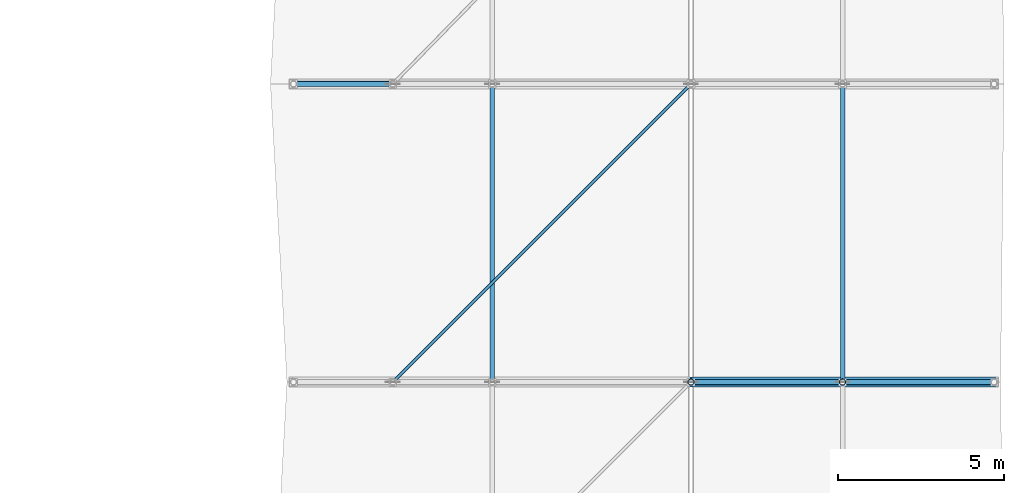
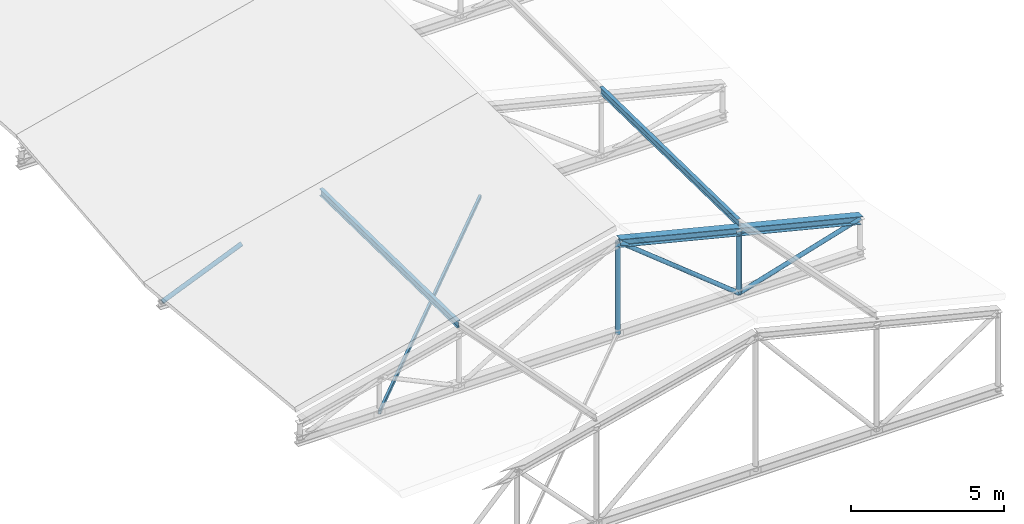
# One storey, part 12 of 33: 9 members.
"""IFC4 building model written with IfcOpenShell, lengths in metres."""

from ifc_helpers import new_model, si_unit, direction, frame, origin, origin_2d, place, context, subcontext, project, spatial, hollow_rectangle, hollow_circle, i_section, extrude, material, material_profile, profile_set, type_object, element, save


model = new_model("IFC4")

# Units and contexts
model_context = context("Model", 3, precision=1e-05, world=origin(), true_north=direction((0.0, 1.0)))
body_context = subcontext(model_context, "Body", "Model", "MODEL_VIEW")
ifc_project = project(units=[si_unit("LENGTHUNIT", "METRE"), si_unit("AREAUNIT", "SQUARE_METRE"), si_unit("VOLUMEUNIT", "CUBIC_METRE"), si_unit("PLANEANGLEUNIT", "RADIAN"), si_unit("MASSUNIT", "GRAM", prefix="KILO")], contexts=[model_context])

# Site, building, storey
site_placement = place(None, origin())
site = spatial("IfcSite", under=ifc_project, at=site_placement, CompositionType="ELEMENT")
building_placement = place(site_placement, origin())
building = spatial("IfcBuilding", under=site, at=building_placement, Name="Bozkorgan Art Gallery", CompositionType="ELEMENT")
storey_placement = place(building_placement, frame((0.0, 0.0, 19.5)))
storey = spatial("IfcBuildingStorey", under=building, at=storey_placement, Name="L04", CompositionType="ELEMENT", Elevation=19.5)

# Members
ifc_material = material(Name="Steel S355J2", Category="steel")
ifc_material_profile_1 = material_profile(ifc_material, i_section(OverallWidth=0.135009765625, OverallDepth=0.27001953125, WebThickness=0.006591796875, FlangeThickness=0.01025390625, FilletRadius=0.014892578125, at=origin_2d()), Name="IPE 270")
ifc_profile_set_1 = profile_set([ifc_material_profile_1], Name="Steel S355J2")
member_type_1 = type_object("IfcMemberType", Name="MEMBER-PR-57", PredefinedType="PURLIN", material=ifc_profile_set_1)
for number, where, z_axis, x_axis, name in (
    (1, (149.0, 11.0, 2.65771484375), (0.0, 0.999850738875, -0.017277151711), (-1.0, 0.0, 0.0), "ROOF-V6-MAIN roof purlin 2W"),
    (2, (159.574951171875, 11.0, 3.012939453125), (0.0, 0.999850738875, -0.017277151711), (-1.0, 0.0, 0.0), "ROOF-V6-MAIN roof purlin 2E"),
):
    element("IfcMember", number, at=place(storey_placement, frame(where, z_axis=z_axis, x_axis=x_axis)), inside=storey, type_object=member_type_1, Name=name, PredefinedType="PURLIN", context=body_context, shape_type="SweptSolid", body=[
        extrude(i_section(OverallWidth=0.135009765625, OverallDepth=0.27001953125, WebThickness=0.006591796875, FlangeThickness=0.01025390625, FilletRadius=0.014892578125, at=origin_2d()), origin(), (0.0, 0.0, 1.0), 9.00146484375),
    ])
ifc_material_profile_2 = material_profile(ifc_material, i_section(OverallWidth=0.300048828125, OverallDepth=0.31005859375, WebThickness=0.009033203125, FlangeThickness=0.015380859375, FilletRadius=0.027099609375, at=origin_2d()), Name="HEA 320")
ifc_profile_set_2 = profile_set([ifc_material_profile_2], Name="Steel S355J2")
member_type_2 = type_object("IfcMemberType", Name="MEMBER-TC-13", PredefinedType="CHORD", material=ifc_profile_set_2)
member_1_placement = place(storey_placement, frame((155.0, 11.0, 3.863525390625), z_axis=(0.970297639918, 0.0, -0.241914220273), x_axis=(0.0, 1.0, 0.0)))
element("IfcMember", 3, at=member_1_placement, inside=storey, type_object=member_type_2, Name="ROOF-V6-MAIN roof truss 2 east top chord", PredefinedType="CHORD", context=body_context, shape_type="SweptSolid", body=[
    extrude(i_section(OverallWidth=0.300048828125, OverallDepth=0.31005859375, WebThickness=0.009033203125, FlangeThickness=0.015380859375, FilletRadius=0.027099609375, at=origin_2d()), origin(), (0.0, 0.0, 1.0), 9.429931640625),
])
ifc_material_profile_3 = material_profile(ifc_material, hollow_circle(Radius=0.096923828125, WallThickness=0.008056640625, at=origin_2d()), Name="CHS 193.7x8")
ifc_profile_set_3 = profile_set([ifc_material_profile_3], Name="Steel S355J2")
member_type_3 = type_object("IfcMemberType", Name="MEMBER-TP-46", PredefinedType="POST", material=ifc_profile_set_3)
member_2_placement = place(storey_placement, frame((155.0, 11.0, 0.199951171875), z_axis=(0.0, 0.0, 1.0), x_axis=(1.0, 0.0, 0.0)))
element("IfcMember", 4, at=member_2_placement, inside=storey, type_object=member_type_3, Name="ROOF-V6-MAIN roof truss 2 post 3", PredefinedType="POST", context=body_context, shape_type="SweptSolid", body=[
    extrude(hollow_circle(Radius=0.096923828125, WallThickness=0.008056640625, at=origin_2d()), origin(), (0.0, 0.0, 1.0), 3.66357421875),
])
member_3_placement = place(storey_placement, frame((159.574951171875, 11.0, 0.199951171875), z_axis=(0.0, 0.0, 1.0), x_axis=(1.0, 0.0, 0.0)))
element("IfcMember", 5, at=member_3_placement, inside=storey, type_object=member_type_3, Name="ROOF-V6-MAIN roof truss 2 post 4", PredefinedType="POST", context=body_context, shape_type="SweptSolid", body=[
    extrude(hollow_circle(Radius=0.096923828125, WallThickness=0.008056640625, at=origin_2d()), origin(), (0.0, 0.0, 1.0), 2.52294921875),
])
ifc_material_profile_4 = material_profile(ifc_material, hollow_circle(Radius=0.084228515625, WallThickness=0.008056640625, at=origin_2d()), Name="CHS 168.3x8")
ifc_profile_set_4 = profile_set([ifc_material_profile_4], Name="Steel S355J2")
member_type_4 = type_object("IfcMemberType", Name="MEMBER-TW-40", PredefinedType="BRACE", material=ifc_profile_set_4)
member_4_placement = place(storey_placement, frame((155.0, 11.0, 3.863525390625), z_axis=(0.780567992128, 0.0, -0.625070883712), x_axis=(0.0, 1.0, 0.0)))
element("IfcMember", 6, at=member_4_placement, inside=storey, type_object=member_type_4, Name="ROOF-V6-MAIN roof truss 2 diagonal 4", PredefinedType="BRACE", context=body_context, shape_type="SweptSolid", body=[
    extrude(hollow_circle(Radius=0.084228515625, WallThickness=0.008056640625, at=origin_2d()), origin(), (0.0, 0.0, 1.0), 5.861083984375),
])
member_5_placement = place(storey_placement, frame((159.574951171875, 11.0, 0.199951171875), z_axis=(0.957257815617, 0.0, 0.289236018572), x_axis=(0.0, 1.0, 0.0)))
element("IfcMember", 7, at=member_5_placement, inside=storey, type_object=member_type_4, Name="ROOF-V6-MAIN roof truss 2 diagonal 5", PredefinedType="BRACE", context=body_context, shape_type="SweptSolid", body=[
    extrude(hollow_circle(Radius=0.084228515625, WallThickness=0.008056640625, at=origin_2d()), origin(), (0.0, 0.0, 1.0), 4.779296875),
])
member_6_placement = place(storey_placement, frame((143.0, 20.0, 0.199951171875), z_axis=(0.921525229324, 0.0, 0.38831849263), x_axis=(0.0, 1.0, 0.0)))
element("IfcMember", 8, at=member_6_placement, inside=storey, type_object=member_type_4, Name="ROOF-V6-MAIN roof truss 3 diagonal 1", PredefinedType="BRACE", context=body_context, shape_type="SweptSolid", body=[
    extrude(hollow_circle(Radius=0.084228515625, WallThickness=0.008056640625, at=origin_2d()), origin(), (0.0, 0.0, 1.0), 3.25537109375),
])
ifc_material_profile_5 = material_profile(ifc_material, hollow_rectangle(XDim=0.10009765625, YDim=0.14990234375, WallThickness=0.008056640625, InnerFilletRadius=0.011962890625, OuterFilletRadius=0.02001953125, at=origin_2d()), Name="RHS 150x100x8")
ifc_profile_set_5 = profile_set([ifc_material_profile_5], Name="Steel S355J2")
member_type_5 = type_object("IfcMemberType", Name="MEMBER-WB-10", PredefinedType="BRACE", material=ifc_profile_set_5)
member_7_placement = place(storey_placement, frame((146.0, 11.0, 0.199951171875), z_axis=(0.707106781187, 0.707106781187, 0.0), x_axis=(-0.707106781187, 0.707106781187, 0.0)))
element("IfcMember", 9, at=member_7_placement, inside=storey, type_object=member_type_5, Name="ROOF-V6-MAIN roof diaphragm wind brace 2", PredefinedType="BRACE", context=body_context, shape_type="SweptSolid", body=[
    extrude(hollow_rectangle(XDim=0.10009765625, YDim=0.14990234375, WallThickness=0.008056640625, InnerFilletRadius=0.011962890625, OuterFilletRadius=0.02001953125, at=origin_2d()), origin(), (0.0, 0.0, 1.0), 12.72802734375),
])

save(model, "model.ifc")
